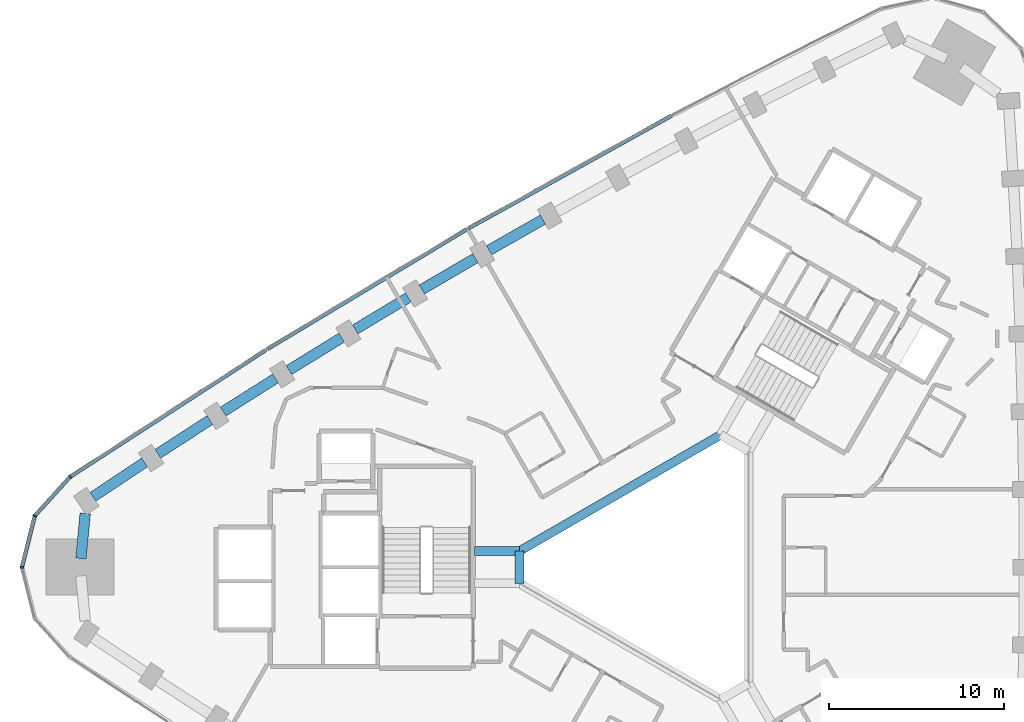
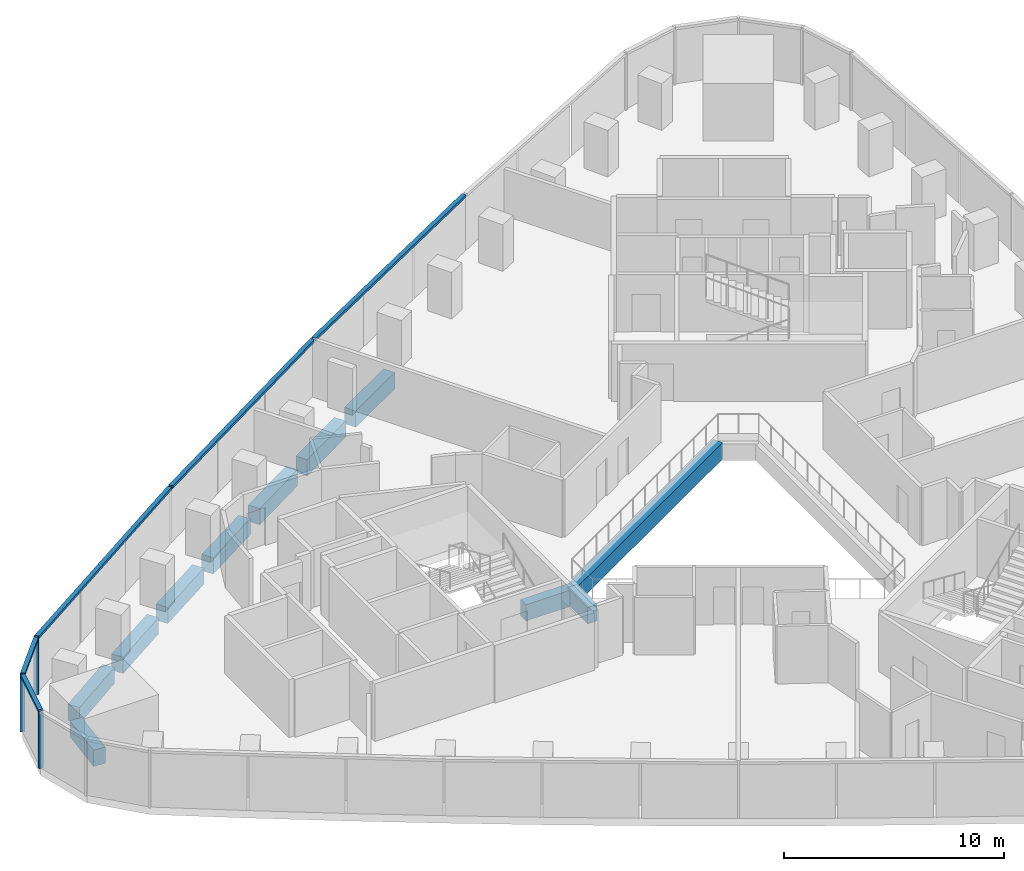
# One storey, part 4 of 12: 11 beams, 8 members, 1 element without a shape of its own.
"""IFC4 building model written with IfcOpenShell, lengths in metres."""

from ifc_helpers import new_model, si_unit, direction, frame, origin, origin_2d, place, context, subcontext, project, spatial, rectangle, extrude, material, material_profile, profile_set, type_object, element, aggregate, save


model = new_model("IFC4")

# Units and contexts
model_context = context("Model", 3, precision=1e-05, world=origin(), true_north=direction((0.0, 1.0)))
body_context = subcontext(model_context, "Body", "Model", "MODEL_VIEW")
ifc_project = project(units=[si_unit("LENGTHUNIT", "METRE"), si_unit("AREAUNIT", "SQUARE_METRE"), si_unit("VOLUMEUNIT", "CUBIC_METRE"), si_unit("PLANEANGLEUNIT", "RADIAN"), si_unit("MASSUNIT", "GRAM", prefix="KILO")], contexts=[model_context])

# Site, building, storey
site_placement = place(None, origin())
site = spatial("IfcSite", under=ifc_project, at=site_placement, CompositionType="ELEMENT")
building_placement = place(site_placement, origin())
building = spatial("IfcBuilding", under=site, at=building_placement, Name="Tamra Quay Hotel Tower", CompositionType="ELEMENT")
storey_placement = place(building_placement, frame((0.0, 0.0, 115.39990234375)))
storey = spatial("IfcBuildingStorey", under=building, at=storey_placement, Name="L28", CompositionType="ELEMENT", Elevation=115.39990234375)

# Beams
ifc_material_1 = material(Name="Concrete M60", Category="concrete")
ifc_material_profile_1 = material_profile(ifc_material_1, rectangle(XDim=0.5, YDim=0.89990234375, at=origin_2d()), Name="ATRIUM EDGE BEAM RC 500x900")
ifc_profile_set_1 = profile_set([ifc_material_profile_1], Name="Concrete M60")
beam_type_1 = type_object("IfcBeamType", Name="ATRIUM EDGE BEAM RC 500x900", PredefinedType="BEAM", material=ifc_profile_set_1)
beam_1_placement = place(storey_placement, frame((-8.199951171875, -0.923828125, -0.875), z_axis=(0.0, 1.0, 0.0), x_axis=(-1.0, 0.0, 0.0)))
element("IfcBeam", 1, at=beam_1_placement, inside=storey, type_object=beam_type_1, Name="BM-AB3-L28", PredefinedType="BEAM", context=body_context, shape_type="SweptSolid", body=[
    extrude(rectangle(XDim=0.5, YDim=0.89990234375, at=origin_2d()), origin(), (0.0, 0.0, 1.0), 1.84765625),
])
beam_2_placement = place(storey_placement, frame((-8.199951171875, 0.923828125, -0.875), z_axis=(0.866029440693, 0.499993007805, 0.0), x_axis=(-0.499993007805, 0.866029440693, 0.0)))
element("IfcBeam", 2, at=beam_2_placement, inside=storey, type_object=beam_type_1, Name="BM-AB4-L28", PredefinedType="BEAM", context=body_context, shape_type="SweptSolid", body=[
    extrude(rectangle(XDim=0.5, YDim=0.89990234375, at=origin_2d()), origin(), (0.0, 0.0, 1.0), 13.279052734375),
])
ifc_material_profile_2 = material_profile(ifc_material_1, rectangle(XDim=0.5, YDim=0.89990234375, at=origin_2d()), Name="ATRIUM TIE BEAM RC 500x900")
ifc_profile_set_2 = profile_set([ifc_material_profile_2], Name="Concrete M60")
beam_type_2 = type_object("IfcBeamType", Name="ATRIUM TIE BEAM RC 500x900", PredefinedType="BEAM", material=ifc_profile_set_2)
beam_3_placement = place(storey_placement, frame((-8.199951171875, 0.923828125, -0.875), z_axis=(-1.0, 0.0, 0.0), x_axis=(0.0, -1.0, 0.0)))
element("IfcBeam", 3, at=beam_3_placement, inside=storey, type_object=beam_type_2, Name="BM-TIE-4-L28", PredefinedType="BEAM", context=body_context, shape_type="SweptSolid", body=[
    extrude(rectangle(XDim=0.5, YDim=0.89990234375, at=origin_2d()), origin(), (0.0, 0.0, 1.0), 2.562255859375),
])

# Curtain wall, members
ifc_material_2 = material(Name="Aluminium 6063 anodised dark grey", Category="aluminium")
curtain_wall_type = type_object("IfcCurtainWallType", Name="CW2 CURTAIN WALL", PredefinedType="NOTDEFINED", material=ifc_material_2)
curtain_wall_placement = place(storey_placement, origin())
curtain_wall = element("IfcCurtainWall", 4, at=curtain_wall_placement, inside=storey, type_object=curtain_wall_type, Name="CW2 north-west face L28", PredefinedType="NOTDEFINED")
ifc_material_profile_3 = material_profile(ifc_material_2, rectangle(XDim=0.219970703125, YDim=0.10009765625, at=origin_2d()), Name="MULLION 100X220")
ifc_profile_set_3 = profile_set([ifc_material_profile_3], Name="Aluminium 6063 anodised dark grey")
member_type_1 = type_object("IfcMemberType", Name="MULLION CW2 Z2", PredefinedType="MULLION", material=ifc_profile_set_3)
member_1_placement = place(storey_placement, frame((-33.88525390625, 5.166015625, 0.0), z_axis=(0.0, 0.0, 1.0), x_axis=(-0.652886907072, 0.757455402366, 0.0)))
member_1 = element("IfcMember", 5, at=member_1_placement, type_object=member_type_1, Name="CW2 mullion L28.NW.13", PredefinedType="MULLION", context=body_context, shape_type="SweptSolid", body=[
    extrude(rectangle(XDim=0.219970703125, YDim=0.10009765625, at=origin_2d()), origin(), (0.0, 0.0, 1.0), 3.2001953125),
])
member_2_placement = place(storey_placement, frame((-35.90673828125, 2.9267578125, 0.0), z_axis=(0.0, 0.0, 1.0), x_axis=(-0.882543846683, 0.47023011248, 0.0)))
member_2 = element("IfcMember", 6, at=member_2_placement, type_object=member_type_1, Name="CW2 mullion L28.NW.14", PredefinedType="MULLION", context=body_context, shape_type="SweptSolid", body=[
    extrude(rectangle(XDim=0.219970703125, YDim=0.10009765625, at=origin_2d()), origin(), (0.0, 0.0, 1.0), 3.2001953125),
])
member_3_placement = place(storey_placement, frame((-36.6376953125, 0.0, 0.0), z_axis=(0.0, 0.0, 1.0), x_axis=(-1.0, 0.0, 0.0)))
member_3 = element("IfcMember", 7, at=member_3_placement, type_object=member_type_1, Name="CW2 mullion L28.NW.15", PredefinedType="MULLION", context=body_context, shape_type="SweptSolid", body=[
    extrude(rectangle(XDim=0.219970703125, YDim=0.10009765625, at=origin_2d()), origin(), (0.0, 0.0, 1.0), 3.2001953125),
])

# Beams
ifc_material_profile_4 = material_profile(ifc_material_1, rectangle(XDim=0.60009765625, YDim=0.89990234375, at=origin_2d()), Name="SPANDREL BEAM RC 600x900")
ifc_profile_set_4 = profile_set([ifc_material_profile_4], Name="Concrete M60")
beam_type_3 = type_object("IfcBeamType", Name="SPANDREL BEAM RC 600x900", PredefinedType="SPANDREL", material=ifc_profile_set_4)
beam_4_placement = place(storey_placement, frame((-6.8583984375, 19.868896484375, -0.875), z_axis=(-0.868869699181, -0.495040852704, 0.0), x_axis=(0.495040852704, -0.868869699181, 0.0)))
element("IfcBeam", 8, at=beam_4_placement, inside=storey, type_object=beam_type_3, Name="BM-SP2-019-L28", PredefinedType="SPANDREL", context=body_context, shape_type="SweptSolid", body=[
    extrude(rectangle(XDim=0.60009765625, YDim=0.89990234375, at=origin_2d()), origin(), (0.0, 0.0, 1.0), 3.544921875),
])
for number, where, z_axis, x_axis, name in (
    (9, (-10.718017578125, 17.6640625, -0.875), (-0.863128698129, -0.504984010109, 0.0), (0.504984010109, -0.863128698129, 0.0), "BM-SP2-020-L28"),
    (10, (-14.552001953125, 15.415283203125, -0.875), (-0.857286231776, -0.514840088578, 0.0), (0.514840088578, -0.857286231776, 0.0), "BM-SP2-021-L28"),
):
    element("IfcBeam", number, at=place(storey_placement, frame(where, z_axis=z_axis, x_axis=x_axis)), inside=storey, type_object=beam_type_3, Name=name, PredefinedType="SPANDREL", context=body_context, shape_type="SweptSolid", body=[
        extrude(rectangle(XDim=0.60009765625, YDim=0.89990234375, at=origin_2d()), origin(), (0.0, 0.0, 1.0), 3.544677734375),
    ])
for number, where, z_axis, x_axis, name in (
    (11, (-18.35986328125, 13.122802734375, -0.875), (-0.851393361846, -0.524527733685, 0.0), (0.524527733685, -0.851393361846, 0.0), "BM-SP2-022-L28"),
    (12, (-22.1416015625, 10.787109375, -0.875), (-0.845333394052, -0.534239134566, 0.0), (0.534239134566, -0.845333394052, 0.0), "BM-SP2-023-L28"),
):
    element("IfcBeam", number, at=place(storey_placement, frame(where, z_axis=z_axis, x_axis=x_axis)), inside=storey, type_object=beam_type_3, Name=name, PredefinedType="SPANDREL", context=body_context, shape_type="SweptSolid", body=[
        extrude(rectangle(XDim=0.60009765625, YDim=0.89990234375, at=origin_2d()), origin(), (0.0, 0.0, 1.0), 3.544921875),
    ])
beam_5_placement = place(storey_placement, frame((-25.896240234375, 8.408203125, -0.875), z_axis=(-0.839237385713, -0.543765216266, 0.0), x_axis=(0.543765216266, -0.839237385713, 0.0)))
element("IfcBeam", 13, at=beam_5_placement, inside=storey, type_object=beam_type_3, Name="BM-SP2-024-L28", PredefinedType="SPANDREL", context=body_context, shape_type="SweptSolid", body=[
    extrude(rectangle(XDim=0.60009765625, YDim=0.89990234375, at=origin_2d()), origin(), (0.0, 0.0, 1.0), 3.544677734375),
])
beam_6_placement = place(storey_placement, frame((-29.623779296875, 5.98681640625, -0.875), z_axis=(-0.832981511469, -0.55330082374, 0.0), x_axis=(0.55330082374, -0.832981511469, 0.0)))
element("IfcBeam", 14, at=beam_6_placement, inside=storey, type_object=beam_type_3, Name="BM-SP2-025-L28", PredefinedType="SPANDREL", context=body_context, shape_type="SweptSolid", body=[
    extrude(rectangle(XDim=0.60009765625, YDim=0.89990234375, at=origin_2d()), origin(), (0.0, 0.0, 1.0), 3.544921875),
])
beam_7_placement = place(storey_placement, frame((-33.019287109375, 3.070556640625, -0.875), z_axis=(-0.09550001445, -0.995429428558, 0.0), x_axis=(0.995429428558, -0.09550001445, 0.0)))
element("IfcBeam", 15, at=beam_7_placement, inside=storey, type_object=beam_type_3, Name="BM-SP2-026-L28", PredefinedType="SPANDREL", context=body_context, shape_type="SweptSolid", body=[
    extrude(rectangle(XDim=0.60009765625, YDim=0.89990234375, at=origin_2d()), origin(), (0.0, 0.0, 1.0), 2.58447265625),
])

# Member
ifc_material_profile_5 = material_profile(ifc_material_2, rectangle(XDim=0.219970703125, YDim=0.139892578125, at=origin_2d()), Name="TRANSOM 220X140")
ifc_profile_set_5 = profile_set([ifc_material_profile_5], Name="Aluminium 6063 anodised dark grey")
member_type_2 = type_object("IfcMemberType", Name="TRANSOM CW2 Z2", PredefinedType="USERDEFINED", material=ifc_profile_set_5)
member_4_placement = place(storey_placement, frame((0.499755859375, 25.813232421875, 3.130126953125), z_axis=(-0.874463819192, -0.48509074298, 0.0), x_axis=(0.48509074298, -0.874463819192, 0.0)))
member_4 = element("IfcMember", 16, at=member_4_placement, type_object=member_type_2, Name="CW2 transom L28.NW.4", ObjectType="TRANSOM", PredefinedType="USERDEFINED", context=body_context, shape_type="SweptSolid", body=[
    extrude(rectangle(XDim=0.219970703125, YDim=0.139892578125, at=origin_2d()), origin(), (0.0, 0.0, 1.0), 13.291259765625),
])

member_5_placement = place(storey_placement, frame((-11.209716796875, 19.315673828125, 3.130126953125), z_axis=(-0.857334050853, -0.514760454238, 0.0), x_axis=(0.514760454238, -0.857334050853, 0.0)))
member_5 = element("IfcMember", 17, at=member_5_placement, type_object=member_type_2, Name="CW2 transom L28.NW.7", ObjectType="TRANSOM", PredefinedType="USERDEFINED", context=body_context, shape_type="SweptSolid", body=[
    extrude(rectangle(XDim=0.219970703125, YDim=0.139892578125, at=origin_2d()), origin(), (0.0, 0.0, 1.0), 13.291259765625),
])

member_6_placement = place(storey_placement, frame((-22.689453125, 12.4208984375, 3.130126953125), z_axis=(-0.839227967527, -0.543779751849, 0.0), x_axis=(0.543779751849, -0.839227967527, 0.0)))
member_6 = element("IfcMember", 18, at=member_6_placement, type_object=member_type_2, Name="CW2 transom L28.NW.10", ObjectType="TRANSOM", PredefinedType="USERDEFINED", context=body_context, shape_type="SweptSolid", body=[
    extrude(rectangle(XDim=0.219970703125, YDim=0.139892578125, at=origin_2d()), origin(), (0.0, 0.0, 1.0), 13.290771484375),
])

member_7_placement = place(storey_placement, frame((-33.918701171875, 5.12890625, 3.130126953125), z_axis=(-0.670064659649, -0.742302736011, 0.0), x_axis=(0.742302736011, -0.670064659649, 0.0)))
member_7 = element("IfcMember", 19, at=member_7_placement, type_object=member_type_2, Name="CW2 transom L28.NW.13", ObjectType="TRANSOM", PredefinedType="USERDEFINED", context=body_context, shape_type="SweptSolid", body=[
    extrude(rectangle(XDim=0.219970703125, YDim=0.139892578125, at=origin_2d()), origin(), (0.0, 0.0, 1.0), 2.916748046875),
])

member_8_placement = place(storey_placement, frame((-35.918701171875, 2.878173828125, 3.130126953125), z_axis=(-0.242338656789, -0.970191720963, 0.0), x_axis=(0.970191720963, -0.242338656789, 0.0)))
member_8 = element("IfcMember", 20, at=member_8_placement, type_object=member_type_2, Name="CW2 transom L28.NW.14", ObjectType="TRANSOM", PredefinedType="USERDEFINED", context=body_context, shape_type="SweptSolid", body=[
    extrude(rectangle(XDim=0.219970703125, YDim=0.139892578125, at=origin_2d()), origin(), (0.0, 0.0, 1.0), 2.91650390625),
])

aggregate(curtain_wall, [member_4, member_5, member_6, member_1, member_7, member_2, member_8, member_3])

save(model, "model.ifc")
